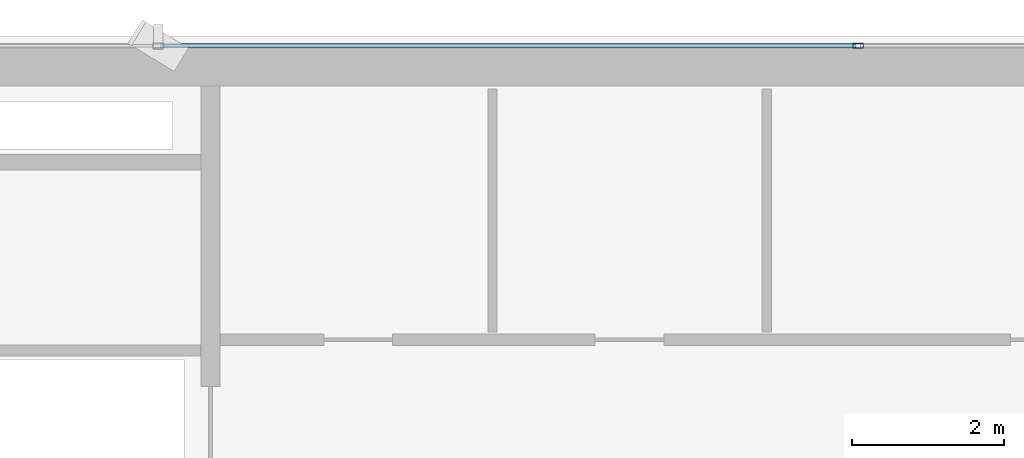
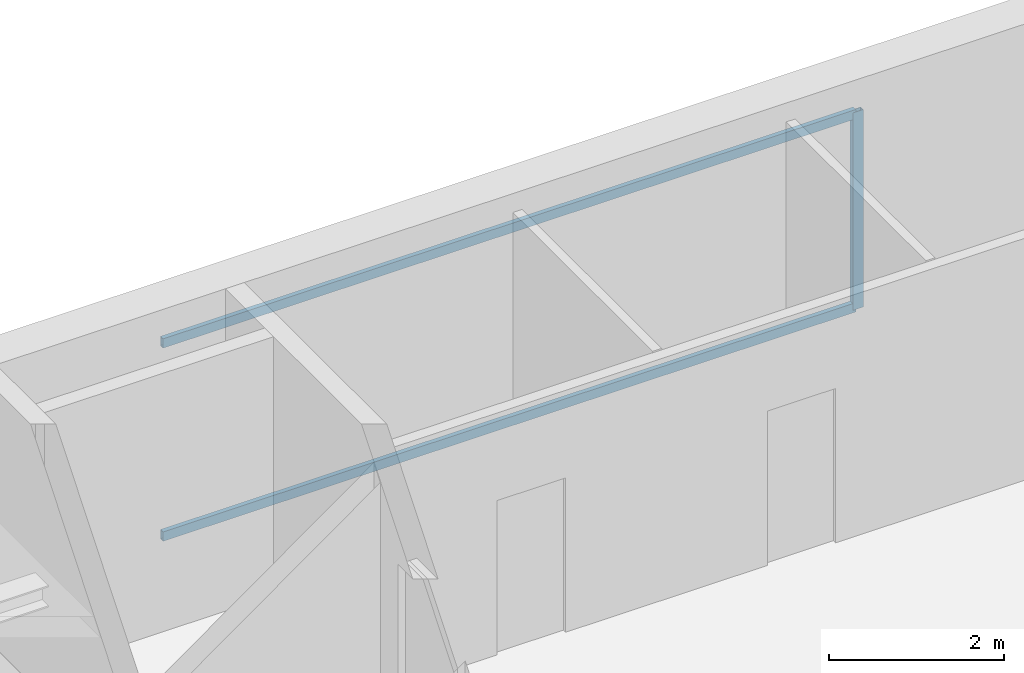
# One storey, part 16 of 27: 3 members, 1 element without a shape of its own.
"""IFC4 building model written with IfcOpenShell, lengths in metres."""

from ifc_helpers import new_model, si_unit, direction, frame, origin, origin_2d, place, context, subcontext, project, spatial, hollow_rectangle, extrude, source, transform, mapped, material, layer, layer_set, material_profile, profile_set, type_object, element, aggregate, save


model = new_model("IFC4")

# Units and contexts
model_context = context("Model", 3, precision=1e-05, world=origin(), true_north=direction((0.0, 1.0)))
body_context = subcontext(model_context, "Body", "Model", "MODEL_VIEW")
ifc_project = project(units=[si_unit("LENGTHUNIT", "METRE"), si_unit("AREAUNIT", "SQUARE_METRE"), si_unit("VOLUMEUNIT", "CUBIC_METRE"), si_unit("PLANEANGLEUNIT", "RADIAN"), si_unit("MASSUNIT", "GRAM", prefix="KILO")], contexts=[model_context])

# Site, building, storey
site_placement = place(None, origin())
site = spatial("IfcSite", under=ifc_project, at=site_placement, CompositionType="ELEMENT")
building_placement = place(site_placement, origin())
building = spatial("IfcBuilding", under=site, at=building_placement, Name="Sumidabori Civic Tower", CompositionType="ELEMENT")
storey_placement = place(building_placement, frame((0.0, 0.0, 228.800048828125)))
storey = spatial("IfcBuildingStorey", under=building, at=storey_placement, Name="L59", CompositionType="ELEMENT", Elevation=228.800048828125)

# Curtain wall, members
ifc_material = material(Name="Anodised Bronze Aluminium AW-6063-T6", Category="aluminium")
ifc_layer = layer(ifc_material, 0.179931640625, Name="Anodised Bronze Aluminium AW-6063-T6")
ifc_layer_set = layer_set([ifc_layer], Name="Anodised Bronze Aluminium AW-6063-T6")
curtain_wall_type = type_object("IfcCurtainWallType", Name="CW-SYS-5", PredefinedType="NOTDEFINED", material=ifc_layer_set)
curtain_wall_placement = place(storey_placement, origin())
curtain_wall = element("IfcCurtainWall", 1, at=curtain_wall_placement, inside=storey, type_object=curtain_wall_type, Name="Curtain Wall CW:L59:R08", PredefinedType="NOTDEFINED")
ifc_material_profile_1 = material_profile(ifc_material, hollow_rectangle(XDim=0.06005859375, YDim=0.1298828125, WallThickness=0.0048828125, at=origin_2d()), Name="ALU TRANSOM 130x60")
ifc_profile_set_1 = profile_set([ifc_material_profile_1], Name="Anodised Bronze Aluminium AW-6063-T6")
member_type_1 = type_object("IfcMemberType", Name="CW-TRN-130", PredefinedType="USERDEFINED", material=ifc_profile_set_1)
shared_shape_1 = source(origin(), body_context, "Body", "SweptSolid", [
    extrude(hollow_rectangle(XDim=0.06005859375, YDim=0.1298828125, WallThickness=0.0048828125, at=origin_2d()), origin(), (0.0, 0.0, 1.0), 9.125),
])
member_1_placement = place(storey_placement, frame((-0.030029296875, 24.080078125, 0.030029296875), z_axis=(-1.0, 0.0, 0.0), x_axis=(0.0, -1.0, 0.0)))
member_1 = element("IfcMember", 2, at=member_1_placement, type_object=member_type_1, Name="CW-5 transom 3.1", ObjectType="TRANSOM", PredefinedType="USERDEFINED", context=body_context, shape_type="MappedRepresentation", body=[
    mapped(shared_shape_1, transform((0.0, 0.0, 0.0), x_axis=(1.0, 0.0, 0.0), y_axis=(0.0, 1.0, 0.0), z_axis=(0.0, 0.0, 1.0), scale=1.0)),
])
member_2_placement = place(storey_placement, frame((-0.030029296875, 24.080078125, 2.719970703125), z_axis=(-1.0, 0.0, 0.0), x_axis=(0.0, -1.0, 0.0)))
member_2 = element("IfcMember", 3, at=member_2_placement, type_object=member_type_1, Name="CW-5 transom 3.2", ObjectType="TRANSOM", PredefinedType="USERDEFINED", context=body_context, shape_type="MappedRepresentation", body=[
    mapped(shared_shape_1, transform((0.0, 0.0, 0.0), x_axis=(1.0, 0.0, 0.0), y_axis=(0.0, 1.0, 0.0), z_axis=(0.0, 0.0, 1.0), scale=1.0)),
])
ifc_material_profile_2 = material_profile(ifc_material, hollow_rectangle(XDim=0.06005859375, YDim=0.139892578125, WallThickness=0.0048828125, at=origin_2d()), Name="ALU MULLION 140x60")
ifc_profile_set_2 = profile_set([ifc_material_profile_2], Name="Anodised Bronze Aluminium AW-6063-T6")
member_type_2 = type_object("IfcMemberType", Name="CW-MUL-140", PredefinedType="MULLION", material=ifc_profile_set_2)
shared_shape_2 = source(origin(), body_context, "Body", "SweptSolid", [
    extrude(hollow_rectangle(XDim=0.06005859375, YDim=0.139892578125, WallThickness=0.0048828125, at=origin_2d()), origin(), (0.0, 0.0, 1.0), 2.75),
])
member_3_placement = place(storey_placement, frame((0.0, 24.080078125, 0.0), z_axis=(0.0, 0.0, 1.0), x_axis=(0.0, -1.0, 0.0)))
member_3 = element("IfcMember", 4, at=member_3_placement, type_object=member_type_2, Name="CW-5 mullion 3", PredefinedType="MULLION", context=body_context, shape_type="MappedRepresentation", body=[
    mapped(shared_shape_2, transform((0.0, 0.0, 0.0), x_axis=(1.0, 0.0, 0.0), y_axis=(0.0, 1.0, 0.0), z_axis=(0.0, 0.0, 1.0), scale=1.0)),
])
aggregate(curtain_wall, [member_3, member_1, member_2])

save(model, "model.ifc")
